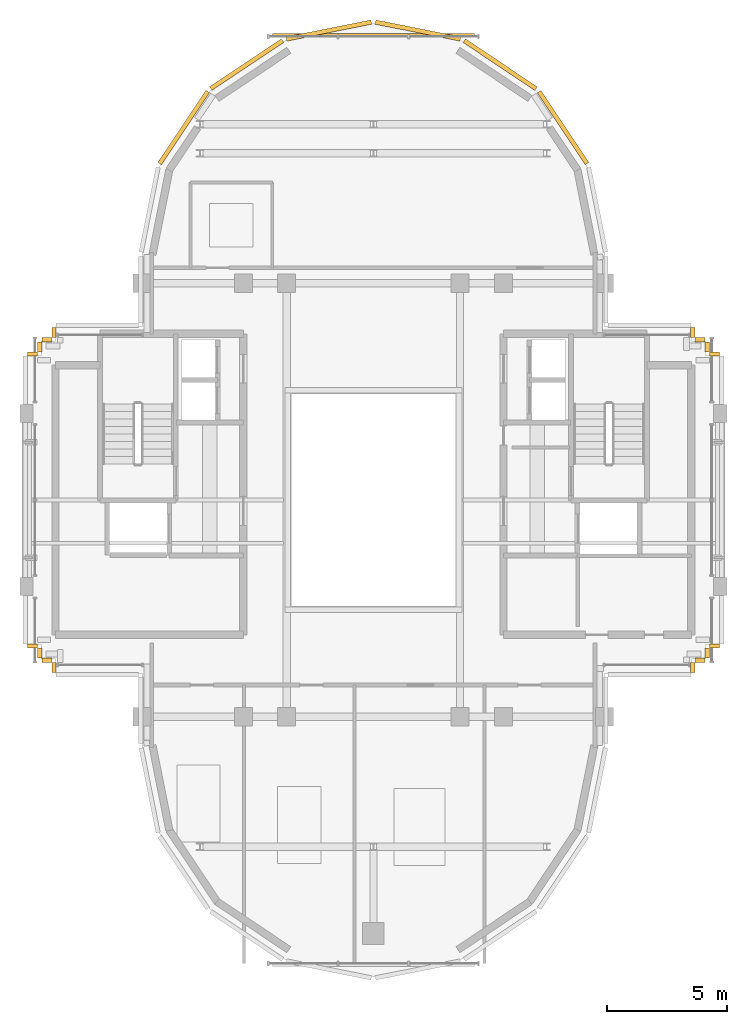
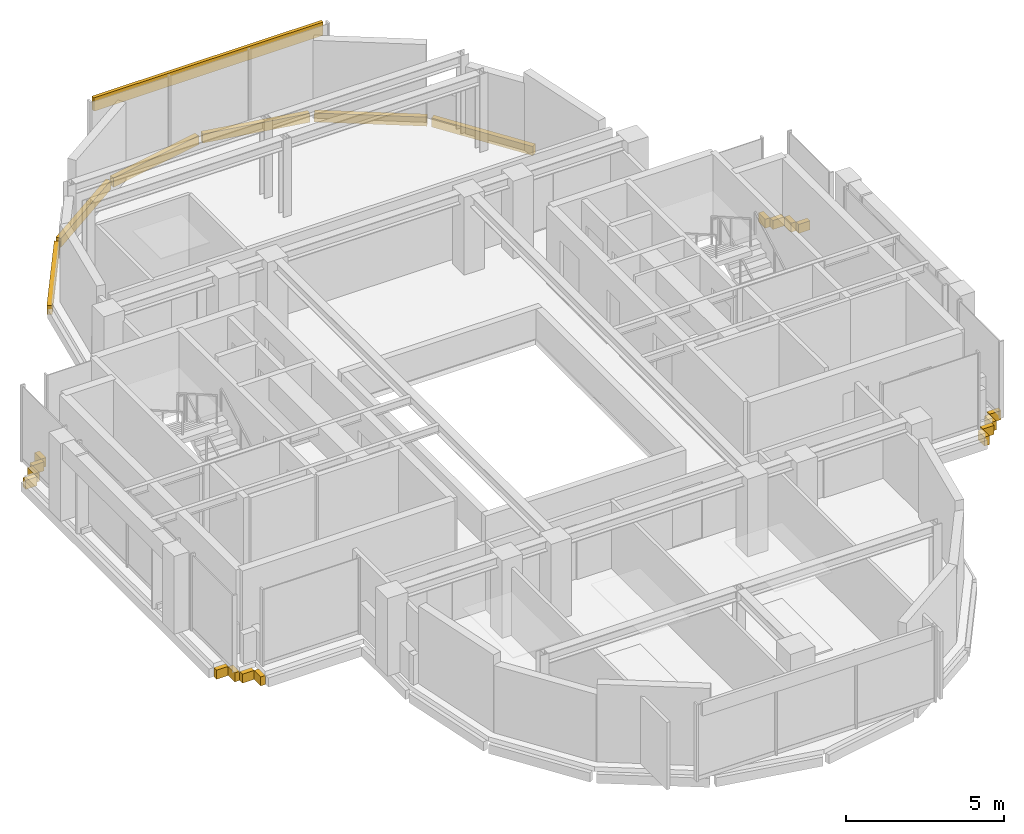
# One storey, part 11 of 11: 23 coverings.
"""IFC4 building model written with IfcOpenShell, lengths in metres."""

from ifc_helpers import new_model, si_unit, direction, frame, origin, origin_2d, place, context, subcontext, project, spatial, rectangle, extrude, source, transform, mapped, material, layer, layer_set, type_object, element, save


model = new_model("IFC4")

# Units and contexts
model_context = context("Model", 3, precision=1e-05, world=origin(), true_north=direction((0.0, 1.0)))
body_context = subcontext(model_context, "Body", "Model", "MODEL_VIEW")
ifc_project = project(units=[si_unit("LENGTHUNIT", "METRE"), si_unit("AREAUNIT", "SQUARE_METRE"), si_unit("VOLUMEUNIT", "CUBIC_METRE"), si_unit("PLANEANGLEUNIT", "RADIAN"), si_unit("MASSUNIT", "GRAM", prefix="KILO")], contexts=[model_context])

# Site, building, storey
site_placement = place(None, origin())
site = spatial("IfcSite", under=ifc_project, at=site_placement, CompositionType="ELEMENT")
building_placement = place(site_placement, origin())
building = spatial("IfcBuilding", under=site, at=building_placement, Name="Keilestroom Media Tower", CompositionType="ELEMENT")
storey_placement = place(building_placement, frame((0.0, 0.0, 265.199951171875)))
storey = spatial("IfcBuildingStorey", under=building, at=storey_placement, Name="L74", CompositionType="ELEMENT", Elevation=265.199951171875)

# Coverings
ifc_material = material(Name="Precast concrete C40/50", Category="concrete")
ifc_layer = layer(ifc_material, 0.1201171875)
ifc_layer_set = layer_set([ifc_layer], Name="Precast concrete C40/50")
covering_type = type_object("IfcCoveringType", Name="Exterior-Precast-Spandrel-Cladding-Panel-120", PredefinedType="CLADDING", material=ifc_layer_set)
shared_shape_1 = source(origin(), body_context, "Body", "SweptSolid", [
    extrude(rectangle(XDim=8.39990234375, YDim=0.1201171875, at=origin_2d()), origin(), (0.0, 0.0, 1.0), 0.52001953125),
])
covering_placement = place(storey_placement, frame((0.0, 19.320068359375, 2.5), z_axis=(0.0, 0.0, 1.0), x_axis=(1.0, 0.0, 0.0)))
element("IfcCovering", 1, at=covering_placement, inside=storey, type_object=covering_type, Name="L74 Precast Spandrel Cladding N", PredefinedType="CLADDING", context=body_context, shape_type="MappedRepresentation", body=[
    mapped(shared_shape_1, transform((0.0, 0.0, 0.0), x_axis=(1.0, 0.0, 0.0), y_axis=(0.0, 1.0, 0.0), z_axis=(0.0, 0.0, 1.0), scale=1.0)),
])
shared_shape_2 = source(origin(), body_context, "Body", "SweptSolid", [
    extrude(rectangle(XDim=3.589599609375, YDim=0.179931640625, at=origin_2d()), origin(), (0.0, 0.0, 1.0), 0.35009765625),
])
for number, where, z_axis, x_axis, name in (
    (2, (-7.878662109375, 15.46435546875, -0.530029296875), (0.0, 0.0, 1.0), (0.555574586577, 0.831466703332, 0.0), "L74 Precast Slab-Edge Fascia Cornice 29"),
    (3, (-5.264404296875, 18.07861328125, -0.530029296875), (0.0, 0.0, 1.0), (0.831466703332, 0.555574586577, 0.0), "L74 Precast Slab-Edge Fascia Cornice 30"),
    (4, (-1.8486328125, 19.493408203125, -0.530029296875), (0.0, 0.0, 1.0), (0.980783577882, 0.195098880975, 0.0), "L74 Precast Slab-Edge Fascia Cornice 31"),
    (5, (1.8486328125, 19.493408203125, -0.530029296875), (0.0, 0.0, 1.0), (0.980783577882, -0.195098880975, 0.0), "L74 Precast Slab-Edge Fascia Cornice 32"),
    (6, (5.264404296875, 18.07861328125, -0.530029296875), (0.0, 0.0, 1.0), (0.831466703332, -0.555574586577, 0.0), "L74 Precast Slab-Edge Fascia Cornice 33"),
    (7, (7.878662109375, 15.46435546875, -0.530029296875), (0.0, 0.0, 1.0), (0.555574586577, -0.831466703332, 0.0), "L74 Precast Slab-Edge Fascia Cornice 34"),
):
    element("IfcCovering", number, at=place(storey_placement, frame(where, z_axis=z_axis, x_axis=x_axis)), inside=storey, type_object=covering_type, Name=name, PredefinedType="CLADDING", context=body_context, shape_type="MappedRepresentation", body=[
        mapped(shared_shape_2, transform((0.0, 0.0, 0.0), x_axis=(1.0, 0.0, 0.0), y_axis=(0.0, 1.0, 0.0), z_axis=(0.0, 0.0, 1.0), scale=1.0)),
    ])
shared_shape_3 = source(origin(), body_context, "Body", "SweptSolid", [
    extrude(rectangle(XDim=0.419921875, YDim=0.179931640625, at=origin_2d()), origin(), (0.0, 0.0, 1.0), 0.35009765625),
])
for number, where, z_axis, x_axis, name in (
    (8, (14.159912109375, -6.06005859375, -0.530029296875), (0.0, 0.0, 1.0), (-1.0, 0.0, 0.0), "L74 Precast Slab-Edge Fascia Cornice 01"),
    (9, (13.860107421875, -6.360107421875, -0.530029296875), (0.0, 0.0, 1.0), (0.0, -1.0, 0.0), "L74 Precast Slab-Edge Fascia Cornice 02"),
    (10, (13.56005859375, -6.659912109375, -0.530029296875), (0.0, 0.0, 1.0), (-1.0, 0.0, 0.0), "L74 Precast Slab-Edge Fascia Cornice 03"),
    (11, (13.260009765625, -6.9599609375, -0.530029296875), (0.0, 0.0, 1.0), (0.0, -1.0, 0.0), "L74 Precast Slab-Edge Fascia Cornice 04"),
    (12, (-13.260009765625, -6.9599609375, -0.530029296875), (0.0, 0.0, 1.0), (0.0, 1.0, 0.0), "L74 Precast Slab-Edge Fascia Cornice 17"),
    (13, (-13.56005859375, -6.659912109375, -0.530029296875), (0.0, 0.0, 1.0), (-1.0, 0.0, 0.0), "L74 Precast Slab-Edge Fascia Cornice 18"),
    (14, (-13.860107421875, -6.360107421875, -0.530029296875), (0.0, 0.0, 1.0), (0.0, 1.0, 0.0), "L74 Precast Slab-Edge Fascia Cornice 19"),
    (15, (-14.159912109375, -6.06005859375, -0.530029296875), (0.0, 0.0, 1.0), (-1.0, 0.0, 0.0), "L74 Precast Slab-Edge Fascia Cornice 20"),
    (16, (-14.159912109375, 6.06005859375, -0.530029296875), (0.0, 0.0, 1.0), (1.0, 0.0, 0.0), "L74 Precast Slab-Edge Fascia Cornice 22"),
    (17, (-13.860107421875, 6.360107421875, -0.530029296875), (0.0, 0.0, 1.0), (0.0, 1.0, 0.0), "L74 Precast Slab-Edge Fascia Cornice 23"),
    (18, (-13.56005859375, 6.659912109375, -0.530029296875), (0.0, 0.0, 1.0), (1.0, 0.0, 0.0), "L74 Precast Slab-Edge Fascia Cornice 24"),
    (19, (-13.260009765625, 6.9599609375, -0.530029296875), (0.0, 0.0, 1.0), (0.0, 1.0, 0.0), "L74 Precast Slab-Edge Fascia Cornice 25"),
    (20, (13.260009765625, 6.9599609375, -0.530029296875), (0.0, 0.0, 1.0), (0.0, -1.0, 0.0), "L74 Precast Slab-Edge Fascia Cornice 38"),
    (21, (13.56005859375, 6.659912109375, -0.530029296875), (0.0, 0.0, 1.0), (1.0, 0.0, 0.0), "L74 Precast Slab-Edge Fascia Cornice 39"),
    (22, (13.860107421875, 6.360107421875, -0.530029296875), (0.0, 0.0, 1.0), (0.0, -1.0, 0.0), "L74 Precast Slab-Edge Fascia Cornice 40"),
    (23, (14.159912109375, 6.06005859375, -0.530029296875), (0.0, 0.0, 1.0), (1.0, 0.0, 0.0), "L74 Precast Slab-Edge Fascia Cornice 41"),
):
    element("IfcCovering", number, at=place(storey_placement, frame(where, z_axis=z_axis, x_axis=x_axis)), inside=storey, type_object=covering_type, Name=name, PredefinedType="CLADDING", context=body_context, shape_type="MappedRepresentation", body=[
        mapped(shared_shape_3, transform((0.0, 0.0, 0.0), x_axis=(1.0, 0.0, 0.0), y_axis=(0.0, 1.0, 0.0), z_axis=(0.0, 0.0, 1.0), scale=1.0)),
    ])

save(model, "model.ifc")
